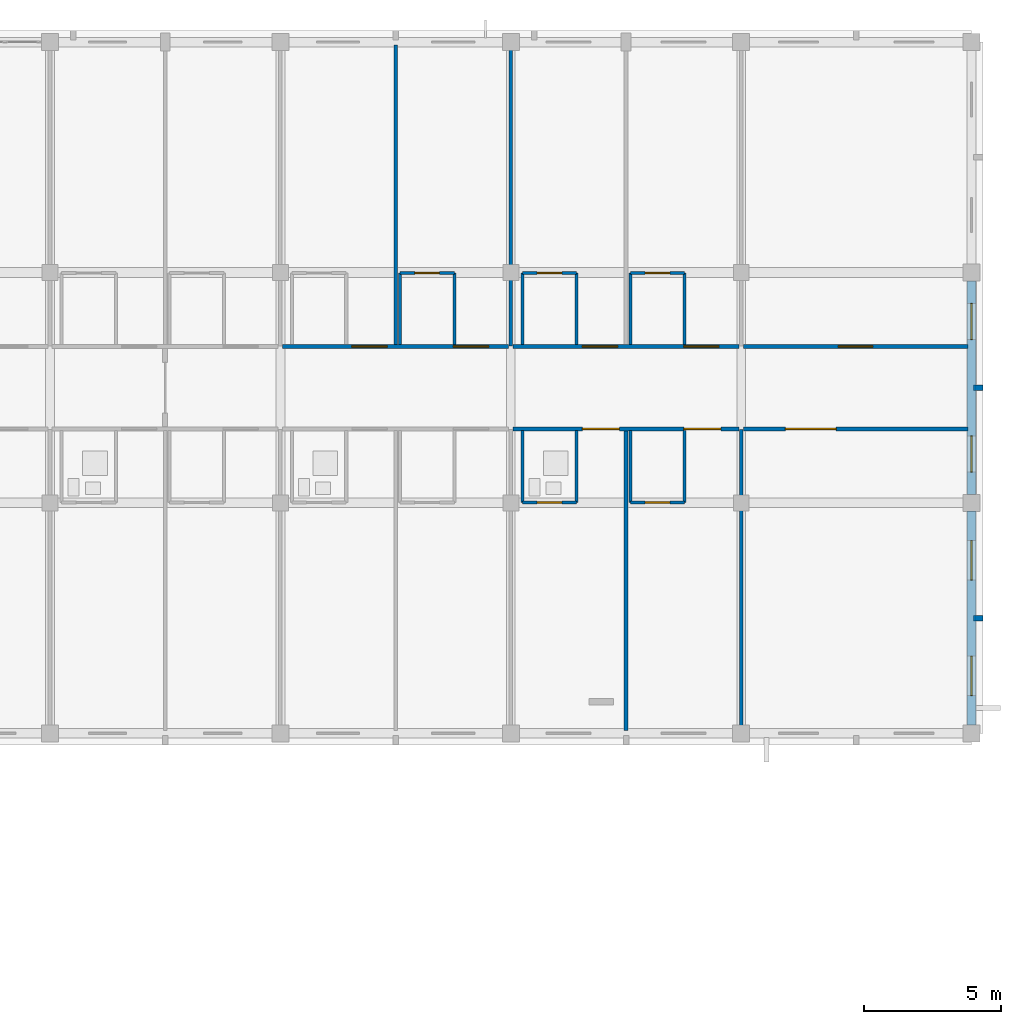
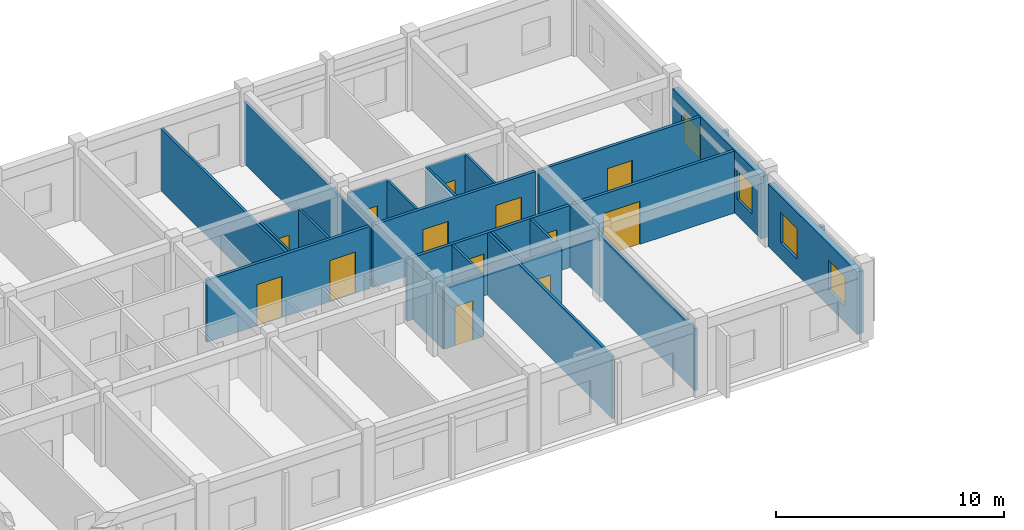
# One storey, part 72 of 81: 28 walls, 13 doors, 4 windows, 17 openings.
"""IFC4 building model written with IfcOpenShell, lengths in metres."""

from ifc_helpers import new_model, si_unit, direction, frame, frame_2d, origin, place, context, subcontext, project, spatial, rectangle, extrude, material, layer, layer_set, type_object, element, fill, save


model = new_model("IFC4")

# Units and contexts
model_context = context("Model", 3, precision=1e-05, world=origin(), true_north=direction((0.0, 1.0)))
body_context = subcontext(model_context, "Body", "Model", "MODEL_VIEW")
ifc_project = project(units=[si_unit("LENGTHUNIT", "METRE"), si_unit("AREAUNIT", "SQUARE_METRE"), si_unit("VOLUMEUNIT", "CUBIC_METRE"), si_unit("PLANEANGLEUNIT", "RADIAN"), si_unit("MASSUNIT", "GRAM", prefix="KILO")], contexts=[model_context])

# Site, building, storey
site_placement = place(None, origin())
site = spatial("IfcSite", under=ifc_project, at=site_placement, CompositionType="ELEMENT")
building_placement = place(site_placement, origin())
building = spatial("IfcBuilding", under=site, at=building_placement, Name="Trelvath General Hospital", CompositionType="ELEMENT")
storey_placement = place(building_placement, frame((0.0, 0.0, 24.60009765625)))
storey = spatial("IfcBuildingStorey", under=building, at=storey_placement, Name="L06", CompositionType="ELEMENT", Elevation=24.60009765625)

# Walls
ifc_material_1 = material(Name="Precast concrete C40/50", Category="concrete")
ifc_layer_1 = layer(ifc_material_1, 0.199951171875)
ifc_layer_set_1 = layer_set([ifc_layer_1], Name="Precast concrete C40/50")
wall_type_1 = type_object("IfcWallType", Name="BriseSoleilRib 200", PredefinedType="ELEMENTEDWALL", material=ifc_layer_set_1)
for number, where, z_axis, x_axis, name in (
    (1, (134.47509765625, 96.60009765625, 0.0), (0.0, 0.0, 1.0), (1.0, 0.0, 0.0), "Precast Concrete Brise-Soleil Rib Fin L06-455"),
    (2, (134.47509765625, 105.0, 0.0), (0.0, 0.0, 1.0), (1.0, 0.0, 0.0), "Precast Concrete Brise-Soleil Rib Fin L06-456"),
):
    element("IfcWall", number, at=place(storey_placement, frame(where, z_axis=z_axis, x_axis=x_axis)), inside=storey, type_object=wall_type_1, Name=name, PredefinedType="ELEMENTEDWALL", context=body_context, shape_type="SweptSolid", body=[
        extrude(rectangle(XDim=0.33984375, YDim=0.199951171875, at=frame_2d((0.169921875, 0.0))), origin(), (0.0, 0.0, 1.0), 3.31982421875),
    ])

# Wall, openings, doors
ifc_material_2 = material(Name="Gypsum acoustic steel-stud partition", Category="steel")
ifc_layer_2 = layer(ifc_material_2, 0.14990234375)
ifc_layer_set_2 = layer_set([ifc_layer_2], Name="Gypsum acoustic steel-stud partition")
wall_type_2 = type_object("IfcWallType", Name="ClinicalPartition 150", PredefinedType="PARTITIONING", material=ifc_layer_set_2)
wall_1_placement = place(storey_placement, frame((117.52001953125, 106.5, 0.0), z_axis=(0.0, 0.0, 1.0), x_axis=(-1.0, 0.0, 0.0)))
wall_1 = element("IfcWall", 3, at=wall_1_placement, inside=storey, type_object=wall_type_2, Name="Corridor Partition N L06-2288", PredefinedType="PARTITIONING", context=body_context, shape_type="SweptSolid", body=[
    extrude(rectangle(XDim=8.239990234375, YDim=0.14990234375, at=frame_2d((4.1201171875, 0.0))), origin(), (0.0, 0.0, 1.0), 3.31982421875),
])
opening_1_placement = place(wall_1_placement, frame((0.72998046875, 0.0, 0.0)))
opening_1 = element("IfcOpeningElement", 4, at=opening_1_placement, cuts=wall_1, Name="Opening D-6-1437", PredefinedType="OPENING", context=body_context, shape_type="SweptSolid", body=[
    extrude(rectangle(XDim=1.280029296875, YDim=2.199951171875, at=frame_2d((0.64013671875, 1.10009765625))), frame((0.0, 0.0849609375, 0.0), z_axis=(0.0, -1.0, 0.0), x_axis=(1.0, 0.0, 0.0)), (0.0, 0.0, 1.0), 0.169921875),
])
opening_2_placement = place(wall_1_placement, frame((4.429931640625, 0.0, 0.0)))
opening_2 = element("IfcOpeningElement", 5, at=opening_2_placement, cuts=wall_1, Name="Opening D-6-1438", PredefinedType="OPENING", context=body_context, shape_type="SweptSolid", body=[
    extrude(rectangle(XDim=1.280029296875, YDim=2.199951171875, at=frame_2d((0.64013671875, 1.10009765625))), frame((0.0, 0.0849609375, 0.0), z_axis=(0.0, -1.0, 0.0), x_axis=(1.0, 0.0, 0.0)), (0.0, 0.0, 1.0), 0.169921875),
])
ifc_material_3 = material(Name="Pediatric ward timber door", Category="wood")
door_type_1 = type_object("IfcDoorType", Name="Door PatientPeds 1280x2200", OperationType="NOTDEFINED", PredefinedType="DOOR", material=ifc_material_3)
door_1_placement = place(opening_1_placement, origin())
door_1 = element("IfcDoor", 6, at=door_1_placement, inside=storey, type_object=door_type_1, Name="Patient Room Door N L06-1437", OperationType="SINGLE_SWING_RIGHT", OverallHeight=2.199951171875, OverallWidth=1.280029296875, PredefinedType="DOOR", context=body_context, shape_type="SweptSolid", body=[
    extrude(rectangle(XDim=1.280029296875, YDim=2.199951171875, at=frame_2d((0.64013671875, 1.10009765625))), frame((0.0, 0.02490234375, 0.0), z_axis=(0.0, -1.0, 0.0), x_axis=(1.0, 0.0, 0.0)), (0.0, 0.0, 1.0), 0.050048828125),
])
fill(opening_1, door_1)
door_2_placement = place(opening_2_placement, origin())
door_2 = element("IfcDoor", 7, at=door_2_placement, inside=storey, type_object=door_type_1, Name="Patient Room Door N L06-1438", OperationType="SINGLE_SWING_RIGHT", OverallHeight=2.199951171875, OverallWidth=1.280029296875, PredefinedType="DOOR", context=body_context, shape_type="SweptSolid", body=[
    extrude(rectangle(XDim=1.280029296875, YDim=2.199951171875, at=frame_2d((0.64013671875, 1.10009765625))), frame((0.0, 0.02490234375, 0.0), z_axis=(0.0, -1.0, 0.0), x_axis=(1.0, 0.0, 0.0)), (0.0, 0.0, 1.0), 0.050048828125),
])
fill(opening_2, door_2)

wall_2_placement = place(storey_placement, frame((117.679931640625, 103.5, 0.0), z_axis=(0.0, 0.0, 1.0), x_axis=(1.0, 0.0, 0.0)))
wall_2 = element("IfcWall", 8, at=wall_2_placement, inside=storey, type_object=wall_type_2, Name="Corridor Partition L06-2298", PredefinedType="PARTITIONING", context=body_context, shape_type="SweptSolid", body=[
    extrude(rectangle(XDim=8.239990234375, YDim=0.14990234375, at=frame_2d((4.1201171875, 0.0))), origin(), (0.0, 0.0, 1.0), 3.31982421875),
])
opening_3_placement = place(wall_2_placement, frame((2.530029296875, 0.0, 0.0)))
opening_3 = element("IfcOpeningElement", 9, at=opening_3_placement, cuts=wall_2, Name="Opening D-6-1441", PredefinedType="OPENING", context=body_context, shape_type="SweptSolid", body=[
    extrude(rectangle(XDim=1.35009765625, YDim=2.25, at=frame_2d((0.675048828125, 1.125))), frame((0.0, 0.0849609375, 0.0), z_axis=(0.0, -1.0, 0.0), x_axis=(1.0, 0.0, 0.0)), (0.0, 0.0, 1.0), 0.169921875),
])
opening_4_placement = place(wall_2_placement, frame((6.22998046875, 0.0, 0.0)))
opening_4 = element("IfcOpeningElement", 10, at=opening_4_placement, cuts=wall_2, Name="Opening D-6-1442", PredefinedType="OPENING", context=body_context, shape_type="SweptSolid", body=[
    extrude(rectangle(XDim=1.35009765625, YDim=2.25, at=frame_2d((0.675048828125, 1.125))), frame((0.0, 0.0849609375, 0.0), z_axis=(0.0, -1.0, 0.0), x_axis=(1.0, 0.0, 0.0)), (0.0, 0.0, 1.0), 0.169921875),
])
ifc_material_4 = material(Name="Airtight isolation bed door")
door_type_2 = type_object("IfcDoorType", Name="Door PatientIso 1350x2250", OperationType="NOTDEFINED", PredefinedType="DOOR", material=ifc_material_4)
door_3_placement = place(opening_3_placement, origin())
door_3 = element("IfcDoor", 11, at=door_3_placement, inside=storey, type_object=door_type_2, Name="Patient Room Door L06-1441", OperationType="SINGLE_SWING_LEFT", OverallHeight=2.25, OverallWidth=1.35009765625, PredefinedType="DOOR", context=body_context, shape_type="SweptSolid", body=[
    extrude(rectangle(XDim=1.35009765625, YDim=2.25, at=frame_2d((0.675048828125, 1.125))), frame((0.0, 0.02490234375, 0.0), z_axis=(0.0, -1.0, 0.0), x_axis=(1.0, 0.0, 0.0)), (0.0, 0.0, 1.0), 0.050048828125),
])
fill(opening_3, door_3)
door_4_placement = place(opening_4_placement, origin())
door_4 = element("IfcDoor", 12, at=door_4_placement, inside=storey, type_object=door_type_2, Name="Patient Room Door L06-1442", OperationType="SINGLE_SWING_RIGHT", OverallHeight=2.25, OverallWidth=1.35009765625, PredefinedType="DOOR", context=body_context, shape_type="SweptSolid", body=[
    extrude(rectangle(XDim=1.35009765625, YDim=2.25, at=frame_2d((0.675048828125, 1.125))), frame((0.0, 0.02490234375, 0.0), z_axis=(0.0, -1.0, 0.0), x_axis=(1.0, 0.0, 0.0)), (0.0, 0.0, 1.0), 0.050048828125),
])
fill(opening_4, door_4)

wall_3_placement = place(storey_placement, frame((125.919921875, 106.5, 0.0), z_axis=(0.0, 0.0, 1.0), x_axis=(-1.0, 0.0, 0.0)))
wall_3 = element("IfcWall", 13, at=wall_3_placement, inside=storey, type_object=wall_type_2, Name="Corridor Partition N L06-2307", PredefinedType="PARTITIONING", context=body_context, shape_type="SweptSolid", body=[
    extrude(rectangle(XDim=8.239990234375, YDim=0.14990234375, at=frame_2d((4.1201171875, 0.0))), origin(), (0.0, 0.0, 1.0), 3.31982421875),
])
opening_5_placement = place(wall_3_placement, frame((0.72998046875, 0.0, 0.0)))
opening_5 = element("IfcOpeningElement", 14, at=opening_5_placement, cuts=wall_3, Name="Opening D-6-1445", PredefinedType="OPENING", context=body_context, shape_type="SweptSolid", body=[
    extrude(rectangle(XDim=1.280029296875, YDim=2.199951171875, at=frame_2d((0.64013671875, 1.10009765625))), frame((0.0, 0.0849609375, 0.0), z_axis=(0.0, -1.0, 0.0), x_axis=(1.0, 0.0, 0.0)), (0.0, 0.0, 1.0), 0.169921875),
])
opening_6_placement = place(wall_3_placement, frame((4.429931640625, 0.0, 0.0)))
opening_6 = element("IfcOpeningElement", 15, at=opening_6_placement, cuts=wall_3, Name="Opening D-6-1446", PredefinedType="OPENING", context=body_context, shape_type="SweptSolid", body=[
    extrude(rectangle(XDim=1.280029296875, YDim=2.199951171875, at=frame_2d((0.64013671875, 1.10009765625))), frame((0.0, 0.0849609375, 0.0), z_axis=(0.0, -1.0, 0.0), x_axis=(1.0, 0.0, 0.0)), (0.0, 0.0, 1.0), 0.169921875),
])
door_5_placement = place(opening_5_placement, origin())
door_5 = element("IfcDoor", 16, at=door_5_placement, inside=storey, type_object=door_type_1, Name="Patient Room Door N L06-1445", OperationType="SINGLE_SWING_LEFT", OverallHeight=2.199951171875, OverallWidth=1.280029296875, PredefinedType="DOOR", context=body_context, shape_type="SweptSolid", body=[
    extrude(rectangle(XDim=1.280029296875, YDim=2.199951171875, at=frame_2d((0.64013671875, 1.10009765625))), frame((0.0, 0.02490234375, 0.0), z_axis=(0.0, -1.0, 0.0), x_axis=(1.0, 0.0, 0.0)), (0.0, 0.0, 1.0), 0.050048828125),
])
fill(opening_5, door_5)
door_6_placement = place(opening_6_placement, origin())
door_6 = element("IfcDoor", 17, at=door_6_placement, inside=storey, type_object=door_type_1, Name="Patient Room Door N L06-1446", OperationType="SINGLE_SWING_LEFT", OverallHeight=2.199951171875, OverallWidth=1.280029296875, PredefinedType="DOOR", context=body_context, shape_type="SweptSolid", body=[
    extrude(rectangle(XDim=1.280029296875, YDim=2.199951171875, at=frame_2d((0.64013671875, 1.10009765625))), frame((0.0, 0.02490234375, 0.0), z_axis=(0.0, -1.0, 0.0), x_axis=(1.0, 0.0, 0.0)), (0.0, 0.0, 1.0), 0.050048828125),
])
fill(opening_6, door_6)

# Wall, opening, door
wall_4_placement = place(storey_placement, frame((126.080078125, 103.5, 0.0), z_axis=(0.0, 0.0, 1.0), x_axis=(1.0, 0.0, 0.0)))
wall_4 = element("IfcWall", 18, at=wall_4_placement, inside=storey, type_object=wall_type_2, Name="Corridor Partition L06-2317", PredefinedType="PARTITIONING", context=body_context, shape_type="SweptSolid", body=[
    extrude(rectangle(XDim=8.179931640625, YDim=0.14990234375, at=frame_2d((4.08984375, 0.0))), origin(), (0.0, 0.0, 1.0), 3.31982421875),
])
opening_7_placement = place(wall_4_placement, frame((1.530029296875, 0.0, 0.0)))
opening_7 = element("IfcOpeningElement", 19, at=opening_7_placement, cuts=wall_4, Name="Opening D-6-1449", PredefinedType="OPENING", context=body_context, shape_type="SweptSolid", body=[
    extrude(rectangle(XDim=1.85009765625, YDim=2.300048828125, at=frame_2d((0.925048828125, 1.14990234375))), frame((0.0, 0.0849609375, 0.0), z_axis=(0.0, -1.0, 0.0), x_axis=(1.0, 0.0, 0.0)), (0.0, 0.0, 1.0), 0.169921875),
])
ifc_material_5 = material(Name="Fire-rated steel cross-corridor pair", Category="steel")
door_type_3 = type_object("IfcDoorType", Name="Door SmokeCross 1850x2300", OperationType="DOUBLE_SWING_LEFT", PredefinedType="DOOR", material=ifc_material_5)
door_7_placement = place(opening_7_placement, origin())
door_7 = element("IfcDoor", 20, at=door_7_placement, inside=storey, type_object=door_type_3, Name="Waiting Lounge Door L06-1449", OperationType="DOUBLE_SWING_LEFT", OverallHeight=2.300048828125, OverallWidth=1.85009765625, PredefinedType="DOOR", context=body_context, shape_type="SweptSolid", body=[
    extrude(rectangle(XDim=1.85009765625, YDim=2.300048828125, at=frame_2d((0.925048828125, 1.14990234375))), frame((0.0, 0.02490234375, 0.0), z_axis=(0.0, -1.0, 0.0), x_axis=(1.0, 0.0, 0.0)), (0.0, 0.0, 1.0), 0.050048828125),
])
fill(opening_7, door_7)

wall_5_placement = place(storey_placement, frame((134.260009765625, 106.5, 0.0), z_axis=(0.0, 0.0, 1.0), x_axis=(-1.0, 0.0, 0.0)))
wall_5 = element("IfcWall", 21, at=wall_5_placement, inside=storey, type_object=wall_type_2, Name="Corridor Partition N L06-2318", PredefinedType="PARTITIONING", context=body_context, shape_type="SweptSolid", body=[
    extrude(rectangle(XDim=8.179931640625, YDim=0.14990234375, at=frame_2d((4.08984375, 0.0))), origin(), (0.0, 0.0, 1.0), 3.31982421875),
])
opening_8_placement = place(wall_5_placement, frame((3.465087890625, 0.0, 0.0)))
opening_8 = element("IfcOpeningElement", 22, at=opening_8_placement, cuts=wall_5, Name="Opening D-6-1450", PredefinedType="OPENING", context=body_context, shape_type="SweptSolid", body=[
    extrude(rectangle(XDim=1.25, YDim=2.199951171875, at=frame_2d((0.625, 1.10009765625))), frame((0.0, 0.0849609375, 0.0), z_axis=(0.0, -1.0, 0.0), x_axis=(1.0, 0.0, 0.0)), (0.0, 0.0, 1.0), 0.169921875),
])
ifc_material_6 = material(Name="Acoustic hospital timber leaf", Category="wood")
door_type_4 = type_object("IfcDoorType", Name="Door Treatment 1250x2200", OperationType="NOTDEFINED", PredefinedType="DOOR", material=ifc_material_6)
door_8_placement = place(opening_8_placement, origin())
door_8 = element("IfcDoor", 23, at=door_8_placement, inside=storey, type_object=door_type_4, Name="Clinical Room Door L06-1450", OperationType="SINGLE_SWING_RIGHT", OverallHeight=2.199951171875, OverallWidth=1.25, PredefinedType="DOOR", context=body_context, shape_type="SweptSolid", body=[
    extrude(rectangle(XDim=1.25, YDim=2.199951171875, at=frame_2d((0.625, 1.10009765625))), frame((0.0, 0.02490234375, 0.0), z_axis=(0.0, -1.0, 0.0), x_axis=(1.0, 0.0, 0.0)), (0.0, 0.0, 1.0), 0.050048828125),
])
fill(opening_8, door_8)

# Walls
ifc_material_7 = material(Name="Moisture-resistant tile partition")
ifc_layer_3 = layer(ifc_material_7, 0.110107421875)
ifc_layer_set_3 = layer_set([ifc_layer_3], Name="Moisture-resistant tile partition")
wall_type_3 = type_object("IfcWallType", Name="EnSuiteWetWall 110", PredefinedType="PARTITIONING", material=ifc_layer_set_3)
for number, where, z_axis, x_axis, name in (
    (24, (113.56005859375, 106.570068359375, 0.0), (0.0, 0.0, 1.0), (0.0, 1.0, 0.0), "En-Suite W Wall N L06-2293"),
    (25, (115.5400390625, 106.570068359375, 0.0), (0.0, 0.0, 1.0), (0.0, 1.0, 0.0), "En-Suite E Wall N L06-2294"),
):
    element("IfcWall", number, at=place(storey_placement, frame(where, z_axis=z_axis, x_axis=x_axis)), inside=storey, type_object=wall_type_3, Name=name, PredefinedType="PARTITIONING", context=body_context, shape_type="SweptSolid", body=[
        extrude(rectangle(XDim=2.60986328125, YDim=0.110107421875, at=frame_2d((1.304931640625, 0.0))), origin(), (0.0, 0.0, 1.0), 3.31982421875),
    ])

# Wall, opening, door
wall_6_placement = place(storey_placement, frame((113.56005859375, 109.179931640625, 0.0), z_axis=(0.0, 0.0, 1.0), x_axis=(1.0, 0.0, 0.0)))
wall_6 = element("IfcWall", 26, at=wall_6_placement, inside=storey, type_object=wall_type_3, Name="En-Suite Bathroom N Partition L06-2295", PredefinedType="PARTITIONING", context=body_context, shape_type="SweptSolid", body=[
    extrude(rectangle(XDim=1.97998046875, YDim=0.110107421875, at=frame_2d((0.989990234375, 0.0))), origin(), (0.0, 0.0, 1.0), 3.31982421875),
])
opening_9_placement = place(wall_6_placement, frame((0.5400390625, 0.0, 0.0)))
opening_9 = element("IfcOpeningElement", 27, at=opening_9_placement, cuts=wall_6, Name="Opening D-6-1440", PredefinedType="OPENING", context=body_context, shape_type="SweptSolid", body=[
    extrude(rectangle(XDim=0.89990234375, YDim=2.10009765625, at=frame_2d((0.449951171875, 1.050048828125))), frame((0.0, 0.06494140625, 0.0), z_axis=(0.0, -1.0, 0.0), x_axis=(1.0, 0.0, 0.0)), (0.0, 0.0, 1.0), 0.130126953125),
])
ifc_material_8 = material(Name="Moisture-sealed timber leaf", Category="wood")
door_type_5 = type_object("IfcDoorType", Name="Door EnSuite 900x2100", OperationType="NOTDEFINED", PredefinedType="DOOR", material=ifc_material_8)
door_9_placement = place(opening_9_placement, origin())
door_9 = element("IfcDoor", 28, at=door_9_placement, inside=storey, type_object=door_type_5, Name="En-Suite Bathroom N Door L06-1440", OperationType="SINGLE_SWING_RIGHT", OverallHeight=2.10009765625, OverallWidth=0.89990234375, PredefinedType="DOOR", context=body_context, shape_type="SweptSolid", body=[
    extrude(rectangle(XDim=0.89990234375, YDim=2.10009765625, at=frame_2d((0.449951171875, 1.050048828125))), frame((0.0, 0.02490234375, 0.0), z_axis=(0.0, -1.0, 0.0), x_axis=(1.0, 0.0, 0.0)), (0.0, 0.0, 1.0), 0.050048828125),
])
fill(opening_9, door_9)

# Walls
for number, where, z_axis, x_axis, name in (
    (29, (118.02001953125, 100.820068359375, 0.0), (0.0, 0.0, 1.0), (0.0, 1.0, 0.0), "En-Suite W Wall L06-2300"),
    (30, (120.0, 100.820068359375, 0.0), (0.0, 0.0, 1.0), (0.0, 1.0, 0.0), "En-Suite E Wall L06-2301"),
):
    element("IfcWall", number, at=place(storey_placement, frame(where, z_axis=z_axis, x_axis=x_axis)), inside=storey, type_object=wall_type_3, Name=name, PredefinedType="PARTITIONING", context=body_context, shape_type="SweptSolid", body=[
        extrude(rectangle(XDim=2.60986328125, YDim=0.110107421875, at=frame_2d((1.304931640625, 0.0))), origin(), (0.0, 0.0, 1.0), 3.31982421875),
    ])

# Wall, opening, door
wall_7_placement = place(storey_placement, frame((118.02001953125, 100.820068359375, 0.0), z_axis=(0.0, 0.0, 1.0), x_axis=(1.0, 0.0, 0.0)))
wall_7 = element("IfcWall", 31, at=wall_7_placement, inside=storey, type_object=wall_type_3, Name="En-Suite Bathroom Partition L06-2302", PredefinedType="PARTITIONING", context=body_context, shape_type="SweptSolid", body=[
    extrude(rectangle(XDim=1.97998046875, YDim=0.110107421875, at=frame_2d((0.989990234375, 0.0))), origin(), (0.0, 0.0, 1.0), 3.31982421875),
])
opening_10_placement = place(wall_7_placement, frame((0.5400390625, 0.0, 0.0)))
opening_10 = element("IfcOpeningElement", 32, at=opening_10_placement, cuts=wall_7, Name="Opening D-6-1443", PredefinedType="OPENING", context=body_context, shape_type="SweptSolid", body=[
    extrude(rectangle(XDim=0.89990234375, YDim=2.10009765625, at=frame_2d((0.449951171875, 1.050048828125))), frame((0.0, 0.06494140625, 0.0), z_axis=(0.0, -1.0, 0.0), x_axis=(1.0, 0.0, 0.0)), (0.0, 0.0, 1.0), 0.130126953125),
])
door_10_placement = place(opening_10_placement, origin())
door_10 = element("IfcDoor", 33, at=door_10_placement, inside=storey, type_object=door_type_5, Name="En-Suite Bathroom Door L06-1443", OperationType="SINGLE_SWING_LEFT", OverallHeight=2.10009765625, OverallWidth=0.89990234375, PredefinedType="DOOR", context=body_context, shape_type="SweptSolid", body=[
    extrude(rectangle(XDim=0.89990234375, YDim=2.10009765625, at=frame_2d((0.449951171875, 1.050048828125))), frame((0.0, 0.02490234375, 0.0), z_axis=(0.0, -1.0, 0.0), x_axis=(1.0, 0.0, 0.0)), (0.0, 0.0, 1.0), 0.050048828125),
])
fill(opening_10, door_10)

# Walls
for number, where, z_axis, x_axis, name in (
    (34, (121.9599609375, 100.820068359375, 0.0), (0.0, 0.0, 1.0), (0.0, 1.0, 0.0), "En-Suite W Wall L06-2303"),
    (35, (123.93994140625, 100.820068359375, 0.0), (0.0, 0.0, 1.0), (0.0, 1.0, 0.0), "En-Suite E Wall L06-2304"),
):
    element("IfcWall", number, at=place(storey_placement, frame(where, z_axis=z_axis, x_axis=x_axis)), inside=storey, type_object=wall_type_3, Name=name, PredefinedType="PARTITIONING", context=body_context, shape_type="SweptSolid", body=[
        extrude(rectangle(XDim=2.60986328125, YDim=0.110107421875, at=frame_2d((1.304931640625, 0.0))), origin(), (0.0, 0.0, 1.0), 3.31982421875),
    ])

# Wall, opening, door
wall_8_placement = place(storey_placement, frame((121.9599609375, 100.820068359375, 0.0), z_axis=(0.0, 0.0, 1.0), x_axis=(1.0, 0.0, 0.0)))
wall_8 = element("IfcWall", 36, at=wall_8_placement, inside=storey, type_object=wall_type_3, Name="En-Suite Bathroom Partition L06-2305", PredefinedType="PARTITIONING", context=body_context, shape_type="SweptSolid", body=[
    extrude(rectangle(XDim=1.97998046875, YDim=0.110107421875, at=frame_2d((0.989990234375, 0.0))), origin(), (0.0, 0.0, 1.0), 3.31982421875),
])
opening_11_placement = place(wall_8_placement, frame((0.5400390625, 0.0, 0.0)))
opening_11 = element("IfcOpeningElement", 37, at=opening_11_placement, cuts=wall_8, Name="Opening D-6-1444", PredefinedType="OPENING", context=body_context, shape_type="SweptSolid", body=[
    extrude(rectangle(XDim=0.89990234375, YDim=2.10009765625, at=frame_2d((0.449951171875, 1.050048828125))), frame((0.0, 0.06494140625, 0.0), z_axis=(0.0, -1.0, 0.0), x_axis=(1.0, 0.0, 0.0)), (0.0, 0.0, 1.0), 0.130126953125),
])
door_11_placement = place(opening_11_placement, origin())
door_11 = element("IfcDoor", 38, at=door_11_placement, inside=storey, type_object=door_type_5, Name="En-Suite Bathroom Door L06-1444", OperationType="SINGLE_SWING_RIGHT", OverallHeight=2.10009765625, OverallWidth=0.89990234375, PredefinedType="DOOR", context=body_context, shape_type="SweptSolid", body=[
    extrude(rectangle(XDim=0.89990234375, YDim=2.10009765625, at=frame_2d((0.449951171875, 1.050048828125))), frame((0.0, 0.02490234375, 0.0), z_axis=(0.0, -1.0, 0.0), x_axis=(1.0, 0.0, 0.0)), (0.0, 0.0, 1.0), 0.050048828125),
])
fill(opening_11, door_11)

# Walls
for number, where, z_axis, x_axis, name in (
    (39, (118.02001953125, 106.570068359375, 0.0), (0.0, 0.0, 1.0), (0.0, 1.0, 0.0), "En-Suite W Wall N L06-2309"),
    (40, (120.0, 106.570068359375, 0.0), (0.0, 0.0, 1.0), (0.0, 1.0, 0.0), "En-Suite E Wall N L06-2310"),
):
    element("IfcWall", number, at=place(storey_placement, frame(where, z_axis=z_axis, x_axis=x_axis)), inside=storey, type_object=wall_type_3, Name=name, PredefinedType="PARTITIONING", context=body_context, shape_type="SweptSolid", body=[
        extrude(rectangle(XDim=2.60986328125, YDim=0.110107421875, at=frame_2d((1.304931640625, 0.0))), origin(), (0.0, 0.0, 1.0), 3.31982421875),
    ])

# Wall, opening, door
wall_9_placement = place(storey_placement, frame((118.02001953125, 109.179931640625, 0.0), z_axis=(0.0, 0.0, 1.0), x_axis=(1.0, 0.0, 0.0)))
wall_9 = element("IfcWall", 41, at=wall_9_placement, inside=storey, type_object=wall_type_3, Name="En-Suite Bathroom N Partition L06-2311", PredefinedType="PARTITIONING", context=body_context, shape_type="SweptSolid", body=[
    extrude(rectangle(XDim=1.97998046875, YDim=0.110107421875, at=frame_2d((0.989990234375, 0.0))), origin(), (0.0, 0.0, 1.0), 3.31982421875),
])
opening_12_placement = place(wall_9_placement, frame((0.5400390625, 0.0, 0.0)))
opening_12 = element("IfcOpeningElement", 42, at=opening_12_placement, cuts=wall_9, Name="Opening D-6-1447", PredefinedType="OPENING", context=body_context, shape_type="SweptSolid", body=[
    extrude(rectangle(XDim=0.89990234375, YDim=2.10009765625, at=frame_2d((0.449951171875, 1.050048828125))), frame((0.0, 0.06494140625, 0.0), z_axis=(0.0, -1.0, 0.0), x_axis=(1.0, 0.0, 0.0)), (0.0, 0.0, 1.0), 0.130126953125),
])
door_12_placement = place(opening_12_placement, origin())
door_12 = element("IfcDoor", 43, at=door_12_placement, inside=storey, type_object=door_type_5, Name="En-Suite Bathroom N Door L06-1447", OperationType="SINGLE_SWING_RIGHT", OverallHeight=2.10009765625, OverallWidth=0.89990234375, PredefinedType="DOOR", context=body_context, shape_type="SweptSolid", body=[
    extrude(rectangle(XDim=0.89990234375, YDim=2.10009765625, at=frame_2d((0.449951171875, 1.050048828125))), frame((0.0, 0.02490234375, 0.0), z_axis=(0.0, -1.0, 0.0), x_axis=(1.0, 0.0, 0.0)), (0.0, 0.0, 1.0), 0.050048828125),
])
fill(opening_12, door_12)

# Walls
for number, where, z_axis, x_axis, name in (
    (44, (121.9599609375, 106.570068359375, 0.0), (0.0, 0.0, 1.0), (0.0, 1.0, 0.0), "En-Suite W Wall N L06-2312"),
    (45, (123.93994140625, 106.570068359375, 0.0), (0.0, 0.0, 1.0), (0.0, 1.0, 0.0), "En-Suite E Wall N L06-2313"),
):
    element("IfcWall", number, at=place(storey_placement, frame(where, z_axis=z_axis, x_axis=x_axis)), inside=storey, type_object=wall_type_3, Name=name, PredefinedType="PARTITIONING", context=body_context, shape_type="SweptSolid", body=[
        extrude(rectangle(XDim=2.60986328125, YDim=0.110107421875, at=frame_2d((1.304931640625, 0.0))), origin(), (0.0, 0.0, 1.0), 3.31982421875),
    ])

# Wall, opening, door
wall_10_placement = place(storey_placement, frame((121.9599609375, 109.179931640625, 0.0), z_axis=(0.0, 0.0, 1.0), x_axis=(1.0, 0.0, 0.0)))
wall_10 = element("IfcWall", 46, at=wall_10_placement, inside=storey, type_object=wall_type_3, Name="En-Suite Bathroom N Partition L06-2314", PredefinedType="PARTITIONING", context=body_context, shape_type="SweptSolid", body=[
    extrude(rectangle(XDim=1.97998046875, YDim=0.110107421875, at=frame_2d((0.989990234375, 0.0))), origin(), (0.0, 0.0, 1.0), 3.31982421875),
])
opening_13_placement = place(wall_10_placement, frame((0.5400390625, 0.0, 0.0)))
opening_13 = element("IfcOpeningElement", 47, at=opening_13_placement, cuts=wall_10, Name="Opening D-6-1448", PredefinedType="OPENING", context=body_context, shape_type="SweptSolid", body=[
    extrude(rectangle(XDim=0.89990234375, YDim=2.10009765625, at=frame_2d((0.449951171875, 1.050048828125))), frame((0.0, 0.06494140625, 0.0), z_axis=(0.0, -1.0, 0.0), x_axis=(1.0, 0.0, 0.0)), (0.0, 0.0, 1.0), 0.130126953125),
])
door_13_placement = place(opening_13_placement, origin())
door_13 = element("IfcDoor", 48, at=door_13_placement, inside=storey, type_object=door_type_5, Name="En-Suite Bathroom N Door L06-1448", OperationType="SINGLE_SWING_LEFT", OverallHeight=2.10009765625, OverallWidth=0.89990234375, PredefinedType="DOOR", context=body_context, shape_type="SweptSolid", body=[
    extrude(rectangle(XDim=0.89990234375, YDim=2.10009765625, at=frame_2d((0.449951171875, 1.050048828125))), frame((0.0, 0.02490234375, 0.0), z_axis=(0.0, -1.0, 0.0), x_axis=(1.0, 0.0, 0.0)), (0.0, 0.0, 1.0), 0.050048828125),
])
fill(opening_13, door_13)

# Wall, openings, windows
ifc_material_9 = material(Name="Concrete C35/45", Category="concrete")
ifc_layer_4 = layer(ifc_material_9, 0.320068359375)
ifc_layer_set_4 = layer_set([ifc_layer_4], Name="Concrete C35/45")
wall_type_4 = type_object("IfcWallType", Name="ExtThermalWall 320", PredefinedType="SOLIDWALL", material=ifc_layer_set_4)
wall_11_placement = place(storey_placement, frame((134.39990234375, 100.4951171875, 0.0), z_axis=(0.0, 0.0, 1.0), x_axis=(0.0, -1.0, 0.0)))
wall_11 = element("IfcWall", 49, at=wall_11_placement, inside=storey, type_object=wall_type_4, Name="Exterior Concrete Wall L06-604", PredefinedType="SOLIDWALL", context=body_context, shape_type="SweptSolid", body=[
    extrude(rectangle(XDim=7.7900390625, YDim=0.320068359375, at=frame_2d((3.89501953125, 0.0))), origin(), (0.0, 0.0, 1.0), 3.33984375),
])
opening_14_placement = place(wall_11_placement, frame((1.07177734375, 0.0, 0.85009765625)))
opening_14 = element("IfcOpeningElement", 50, at=opening_14_placement, cuts=wall_11, Name="Opening WN-6-1015", PredefinedType="OPENING", context=body_context, shape_type="SweptSolid", body=[
    extrude(rectangle(XDim=1.43994140625, YDim=1.6201171875, at=frame_2d((0.719970703125, 0.81005859375))), frame((0.0, 0.169921875, 0.0), z_axis=(0.0, -1.0, 0.0), x_axis=(1.0, 0.0, 0.0)), (0.0, 0.0, 1.0), 0.340087890625),
])
opening_15_placement = place(wall_11_placement, frame((5.2783203125, 0.0, 0.85009765625)))
opening_15 = element("IfcOpeningElement", 51, at=opening_15_placement, cuts=wall_11, Name="Opening WN-6-1016", PredefinedType="OPENING", context=body_context, shape_type="SweptSolid", body=[
    extrude(rectangle(XDim=1.43994140625, YDim=1.6201171875, at=frame_2d((0.719970703125, 0.81005859375))), frame((0.0, 0.169921875, 0.0), z_axis=(0.0, -1.0, 0.0), x_axis=(1.0, 0.0, 0.0)), (0.0, 0.0, 1.0), 0.340087890625),
])
ifc_material_10 = material(Name="Low-E laminated glass", Category="glass")
window_type_1 = type_object("IfcWindowType", Name="Window Maternity 1440x1620", PartitioningType="DOUBLE_PANEL_VERTICAL", PredefinedType="WINDOW", material=ifc_material_10)
window_1_placement = place(opening_14_placement, origin())
window_1 = element("IfcWindow", 52, at=window_1_placement, inside=storey, type_object=window_type_1, Name="Solar Reveal Window L06-1015", OverallHeight=1.6201171875, OverallWidth=1.43994140625, PartitioningType="SINGLE_PANEL", PredefinedType="WINDOW", context=body_context, shape_type="SweptSolid", body=[
    extrude(rectangle(XDim=1.43994140625, YDim=1.6201171875, at=frame_2d((0.719970703125, 0.81005859375))), frame((0.0, 0.030029296875, 0.0), z_axis=(0.0, -1.0, 0.0), x_axis=(1.0, 0.0, 0.0)), (0.0, 0.0, 1.0), 0.06005859375),
])
fill(opening_14, window_1)
window_2_placement = place(opening_15_placement, origin())
window_2 = element("IfcWindow", 53, at=window_2_placement, inside=storey, type_object=window_type_1, Name="Solar Reveal Window L06-1016", OverallHeight=1.6201171875, OverallWidth=1.43994140625, PartitioningType="SINGLE_PANEL", PredefinedType="WINDOW", context=body_context, shape_type="SweptSolid", body=[
    extrude(rectangle(XDim=1.43994140625, YDim=1.6201171875, at=frame_2d((0.719970703125, 0.81005859375))), frame((0.0, 0.030029296875, 0.0), z_axis=(0.0, -1.0, 0.0), x_axis=(1.0, 0.0, 0.0)), (0.0, 0.0, 1.0), 0.06005859375),
])
fill(opening_15, window_2)

wall_12_placement = place(storey_placement, frame((134.39990234375, 108.89501953125, 0.0), z_axis=(0.0, 0.0, 1.0), x_axis=(0.0, -1.0, 0.0)))
wall_12 = element("IfcWall", 54, at=wall_12_placement, inside=storey, type_object=wall_type_4, Name="Exterior Concrete Wall L06-605", PredefinedType="SOLIDWALL", context=body_context, shape_type="SweptSolid", body=[
    extrude(rectangle(XDim=7.7900390625, YDim=0.320068359375, at=frame_2d((3.89501953125, 0.0))), origin(), (0.0, 0.0, 1.0), 3.33984375),
])
opening_16_placement = place(wall_12_placement, frame((0.820068359375, 0.0, 0.85009765625)))
opening_16 = element("IfcOpeningElement", 55, at=opening_16_placement, cuts=wall_12, Name="Opening WN-6-1017", PredefinedType="OPENING", context=body_context, shape_type="SweptSolid", body=[
    extrude(rectangle(XDim=1.320068359375, YDim=1.580078125, at=frame_2d((0.66015625, 0.7900390625))), frame((0.0, 0.169921875, 0.0), z_axis=(0.0, -1.0, 0.0), x_axis=(1.0, 0.0, 0.0)), (0.0, 0.0, 1.0), 0.340087890625),
])
opening_17_placement = place(wall_12_placement, frame((5.64990234375, 0.0, 0.85009765625)))
opening_17 = element("IfcOpeningElement", 56, at=opening_17_placement, cuts=wall_12, Name="Opening WN-6-1018", PredefinedType="OPENING", context=body_context, shape_type="SweptSolid", body=[
    extrude(rectangle(XDim=1.320068359375, YDim=1.580078125, at=frame_2d((0.66015625, 0.7900390625))), frame((0.0, 0.169921875, 0.0), z_axis=(0.0, -1.0, 0.0), x_axis=(1.0, 0.0, 0.0)), (0.0, 0.0, 1.0), 0.340087890625),
])
ifc_material_11 = material(Name="Low-E laminated glass", Category="glass")
window_type_2 = type_object("IfcWindowType", Name="Window Pediatrics 1320x1580", PartitioningType="DOUBLE_PANEL_VERTICAL", PredefinedType="WINDOW", material=ifc_material_11)
window_3_placement = place(opening_16_placement, origin())
window_3 = element("IfcWindow", 57, at=window_3_placement, inside=storey, type_object=window_type_2, Name="Solar Reveal Window L06-1017", OverallHeight=1.580078125, OverallWidth=1.320068359375, PartitioningType="SINGLE_PANEL", PredefinedType="WINDOW", context=body_context, shape_type="SweptSolid", body=[
    extrude(rectangle(XDim=1.320068359375, YDim=1.580078125, at=frame_2d((0.66015625, 0.7900390625))), frame((0.0, 0.030029296875, 0.0), z_axis=(0.0, -1.0, 0.0), x_axis=(1.0, 0.0, 0.0)), (0.0, 0.0, 1.0), 0.06005859375),
])
fill(opening_16, window_3)
window_4_placement = place(opening_17_placement, origin())
window_4 = element("IfcWindow", 58, at=window_4_placement, inside=storey, type_object=window_type_2, Name="Solar Reveal Window L06-1018", OverallHeight=1.580078125, OverallWidth=1.320068359375, PartitioningType="SINGLE_PANEL", PredefinedType="WINDOW", context=body_context, shape_type="SweptSolid", body=[
    extrude(rectangle(XDim=1.320068359375, YDim=1.580078125, at=frame_2d((0.66015625, 0.7900390625))), frame((0.0, 0.030029296875, 0.0), z_axis=(0.0, -1.0, 0.0), x_axis=(1.0, 0.0, 0.0)), (0.0, 0.0, 1.0), 0.06005859375),
])
fill(opening_17, window_4)

# Walls
ifc_material_12 = material(Name="Gypsum acoustic steel-stud partition", Category="steel")
ifc_layer_5 = layer(ifc_material_12, 0.1298828125)
ifc_layer_set_5 = layer_set([ifc_layer_5], Name="Gypsum acoustic steel-stud partition")
wall_type_5 = type_object("IfcWallType", Name="WardPartition 130", PredefinedType="PARTITIONING", material=ifc_layer_set_5)
wall_13_placement = place(storey_placement, frame((113.39990234375, 106.570068359375, 0.0), z_axis=(0.0, 0.0, 1.0), x_axis=(0.0, 1.0, 0.0)))
element("IfcWall", 59, at=wall_13_placement, inside=storey, type_object=wall_type_5, Name="Room Dividing Partition N L06-2289", PredefinedType="PARTITIONING", context=body_context, shape_type="SweptSolid", body=[
    extrude(rectangle(XDim=10.929931640625, YDim=0.1298828125, at=frame_2d((5.46484375, 0.0))), origin(), (0.0, 0.0, 1.0), 3.31982421875),
])
wall_14_placement = place(storey_placement, frame((117.60009765625, 106.52001953125, 0.0), z_axis=(0.0, 0.0, 1.0), x_axis=(0.0, 1.0, 0.0)))
element("IfcWall", 60, at=wall_14_placement, inside=storey, type_object=wall_type_5, Name="Inter-Bay Ward Partition N L06-2297", PredefinedType="PARTITIONING", context=body_context, shape_type="SweptSolid", body=[
    extrude(rectangle(XDim=10.93994140625, YDim=0.1298828125, at=frame_2d((5.469970703125, 0.0))), origin(), (0.0, 0.0, 1.0), 3.31982421875),
])
wall_15_placement = place(storey_placement, frame((121.800048828125, 92.5, 0.0), z_axis=(0.0, 0.0, 1.0), x_axis=(0.0, 1.0, 0.0)))
element("IfcWall", 61, at=wall_15_placement, inside=storey, type_object=wall_type_5, Name="Room Dividing Partition S L06-2299", PredefinedType="PARTITIONING", context=body_context, shape_type="SweptSolid", body=[
    extrude(rectangle(XDim=10.929931640625, YDim=0.1298828125, at=frame_2d((5.46484375, 0.0))), origin(), (0.0, 0.0, 1.0), 3.31982421875),
])
wall_16_placement = place(storey_placement, frame((126.0, 92.5400390625, 0.0), z_axis=(0.0, 0.0, 1.0), x_axis=(0.0, 1.0, 0.0)))
element("IfcWall", 62, at=wall_16_placement, inside=storey, type_object=wall_type_5, Name="Inter-Bay Ward Partition S L06-2315", PredefinedType="PARTITIONING", context=body_context, shape_type="SweptSolid", body=[
    extrude(rectangle(XDim=10.93994140625, YDim=0.1298828125, at=frame_2d((5.469970703125, 0.0))), origin(), (0.0, 0.0, 1.0), 3.31982421875),
])

save(model, "model.ifc")
